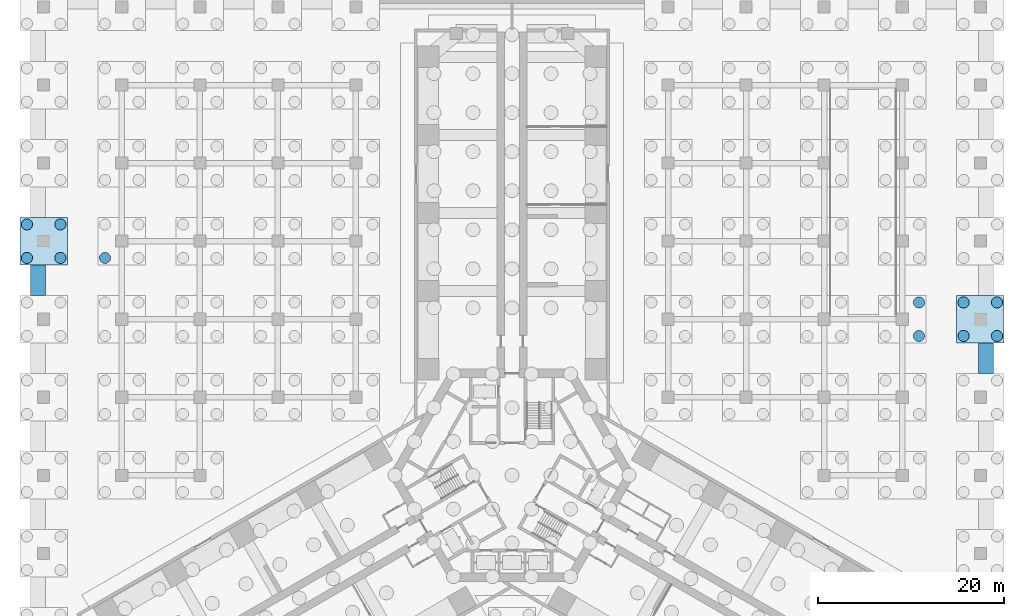
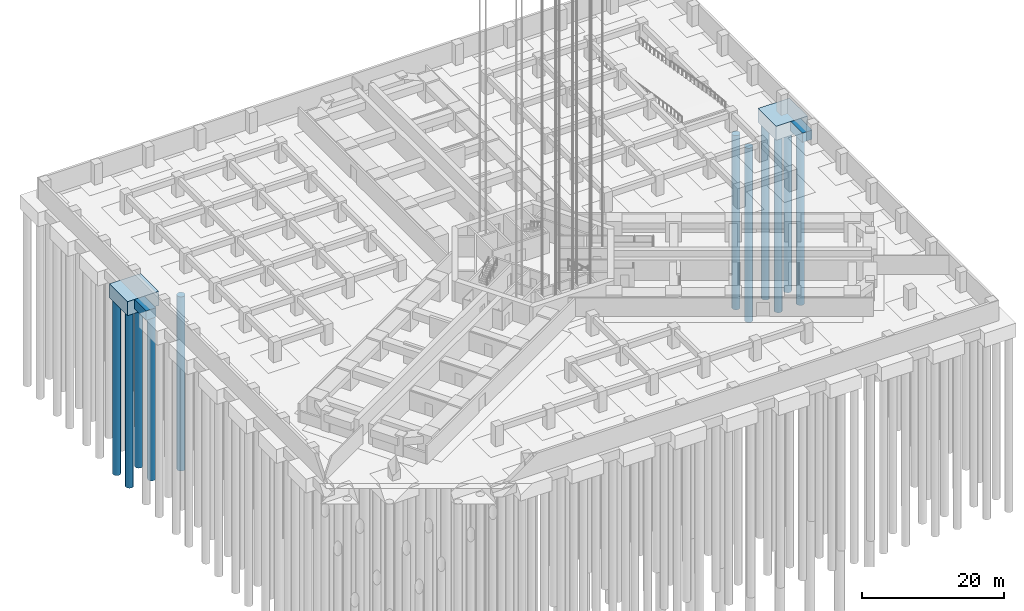
# One storey, part 31 of 73: 11 piles, 4 footings.
"""IFC4 building model written with IfcOpenShell, lengths in metres."""

from ifc_helpers import new_model, si_unit, direction, frame, origin, origin_2d, place, context, subcontext, project, spatial, polyline, circle, outline, extrude, material, material_profile, profile_set, type_object, element, save


model = new_model("IFC4")

# Units and contexts
model_context = context("Model", 3, precision=1e-05, world=origin(), true_north=direction((0.0, 1.0)))
body_context = subcontext(model_context, "Body", "Model", "MODEL_VIEW")
ifc_project = project(units=[si_unit("LENGTHUNIT", "METRE"), si_unit("AREAUNIT", "SQUARE_METRE"), si_unit("VOLUMEUNIT", "CUBIC_METRE"), si_unit("PLANEANGLEUNIT", "RADIAN"), si_unit("MASSUNIT", "GRAM", prefix="KILO")], contexts=[model_context])

# Site, building, storey
site_placement = place(None, origin())
site = spatial("IfcSite", under=ifc_project, at=site_placement, CompositionType="ELEMENT")
building_placement = place(site_placement, origin())
building = spatial("IfcBuilding", under=site, at=building_placement, Name="Impinga Residences", CompositionType="ELEMENT")
storey_placement = place(building_placement, frame((0.0, 0.0, -10.5)))
storey = spatial("IfcBuildingStorey", under=building, at=storey_placement, Name="B3", CompositionType="ELEMENT", Elevation=-10.5)

# Piles
ifc_material_1 = material(Name="Concrete C35/45", Category="concrete")
ifc_material_profile = material_profile(ifc_material_1, circle(Radius=0.60009765625, at=origin_2d()), Name="D1200")
ifc_profile_set = profile_set([ifc_material_profile], Name="Concrete C35/45")
pile_type = type_object("IfcPileType", Name="BP2 bored pile D1200", PredefinedType="BORED", material=ifc_profile_set)
pile_1_placement = place(storey_placement, frame((-52.199951171875, 23.39990234375, -2.39990234375), z_axis=(0.0, 0.0, -1.0), x_axis=(1.0, 0.0, 0.0)))
element("IfcPile", 1, at=pile_1_placement, inside=storey, type_object=pile_type, Name="Cap pile BP2 1/J-1", PredefinedType="BORED", context=body_context, shape_type="SweptSolid", body=[
    extrude(outline(polyline([(0.60009765625, 0.0), (0.59716796875, 0.058837890625), (0.58837890625, 0.116943359375), (0.57421875, 0.174072265625), (0.554443359375, 0.2294921875), (0.529052734375, 0.282958984375), (0.498779296875, 0.333251953125), (0.4638671875, 0.380615234375), (0.42431640625, 0.42431640625), (0.380615234375, 0.4638671875), (0.333251953125, 0.498779296875), (0.282958984375, 0.529052734375), (0.2294921875, 0.554443359375), (0.174072265625, 0.57421875), (0.116943359375, 0.58837890625), (0.058837890625, 0.59716796875), (0.0, 0.60009765625), (-0.058837890625, 0.59716796875), (-0.116943359375, 0.58837890625), (-0.174072265625, 0.57421875), (-0.2294921875, 0.554443359375), (-0.282958984375, 0.529052734375), (-0.333251953125, 0.498779296875), (-0.380615234375, 0.4638671875), (-0.42431640625, 0.42431640625), (-0.4638671875, 0.380615234375), (-0.498779296875, 0.333251953125), (-0.529052734375, 0.282958984375), (-0.554443359375, 0.2294921875), (-0.57421875, 0.174072265625), (-0.58837890625, 0.116943359375), (-0.59716796875, 0.058837890625), (-0.60009765625, 0.0), (-0.59716796875, -0.058837890625), (-0.58837890625, -0.116943359375), (-0.57421875, -0.174072265625), (-0.554443359375, -0.2294921875), (-0.529052734375, -0.282958984375), (-0.498779296875, -0.333251953125), (-0.4638671875, -0.380615234375), (-0.42431640625, -0.42431640625), (-0.380615234375, -0.4638671875), (-0.333251953125, -0.498779296875), (-0.282958984375, -0.529052734375), (-0.2294921875, -0.554443359375), (-0.174072265625, -0.57421875), (-0.116943359375, -0.58837890625), (-0.058837890625, -0.59716796875), (0.0, -0.60009765625), (0.058837890625, -0.59716796875), (0.116943359375, -0.58837890625), (0.174072265625, -0.57421875), (0.2294921875, -0.554443359375), (0.282958984375, -0.529052734375), (0.333251953125, -0.498779296875), (0.380615234375, -0.4638671875), (0.42431640625, -0.42431640625), (0.4638671875, -0.380615234375), (0.498779296875, -0.333251953125), (0.529052734375, -0.282958984375), (0.554443359375, -0.2294921875), (0.57421875, -0.174072265625), (0.58837890625, -0.116943359375), (0.59716796875, -0.058837890625), (0.60009765625, 0.0)])), origin(), (0.0, 0.0, 1.0), 30.0),
])
pile_2_placement = place(storey_placement, frame((-48.60009765625, 23.39990234375, -2.39990234375), z_axis=(0.0, 0.0, -1.0), x_axis=(1.0, 0.0, 0.0)))
element("IfcPile", 2, at=pile_2_placement, inside=storey, type_object=pile_type, Name="Cap pile BP2 1/J-2", PredefinedType="BORED", context=body_context, shape_type="SweptSolid", body=[
    extrude(outline(polyline([(0.60009765625, 0.0), (0.59716796875, 0.058837890625), (0.58837890625, 0.116943359375), (0.57421875, 0.174072265625), (0.554443359375, 0.2294921875), (0.529052734375, 0.282958984375), (0.498779296875, 0.333251953125), (0.4638671875, 0.380615234375), (0.42431640625, 0.42431640625), (0.380615234375, 0.4638671875), (0.333251953125, 0.498779296875), (0.282958984375, 0.529052734375), (0.2294921875, 0.554443359375), (0.174072265625, 0.57421875), (0.116943359375, 0.58837890625), (0.058837890625, 0.59716796875), (0.0, 0.60009765625), (-0.058837890625, 0.59716796875), (-0.116943359375, 0.58837890625), (-0.174072265625, 0.57421875), (-0.2294921875, 0.554443359375), (-0.282958984375, 0.529052734375), (-0.333251953125, 0.498779296875), (-0.380615234375, 0.4638671875), (-0.42431640625, 0.42431640625), (-0.4638671875, 0.380615234375), (-0.498779296875, 0.333251953125), (-0.529052734375, 0.282958984375), (-0.554443359375, 0.2294921875), (-0.57421875, 0.174072265625), (-0.58837890625, 0.116943359375), (-0.59716796875, 0.058837890625), (-0.60009765625, 0.0), (-0.59716796875, -0.058837890625), (-0.58837890625, -0.116943359375), (-0.57421875, -0.174072265625), (-0.554443359375, -0.2294921875), (-0.529052734375, -0.282958984375), (-0.498779296875, -0.333251953125), (-0.4638671875, -0.380615234375), (-0.42431640625, -0.42431640625), (-0.380615234375, -0.4638671875), (-0.333251953125, -0.498779296875), (-0.282958984375, -0.529052734375), (-0.2294921875, -0.554443359375), (-0.174072265625, -0.57421875), (-0.116943359375, -0.58837890625), (-0.058837890625, -0.59716796875), (0.0, -0.60009765625), (0.058837890625, -0.59716796875), (0.116943359375, -0.58837890625), (0.174072265625, -0.57421875), (0.2294921875, -0.554443359375), (0.282958984375, -0.529052734375), (0.333251953125, -0.498779296875), (0.380615234375, -0.4638671875), (0.42431640625, -0.42431640625), (0.4638671875, -0.380615234375), (0.498779296875, -0.333251953125), (0.529052734375, -0.282958984375), (0.554443359375, -0.2294921875), (0.57421875, -0.174072265625), (0.58837890625, -0.116943359375), (0.59716796875, -0.058837890625), (0.60009765625, 0.0)])), origin(), (0.0, 0.0, 1.0), 30.0),
])
pile_3_placement = place(storey_placement, frame((-48.60009765625, 27.0, -2.39990234375), z_axis=(0.0, 0.0, -1.0), x_axis=(1.0, 0.0, 0.0)))
element("IfcPile", 3, at=pile_3_placement, inside=storey, type_object=pile_type, Name="Cap pile BP2 1/J-3", PredefinedType="BORED", context=body_context, shape_type="SweptSolid", body=[
    extrude(outline(polyline([(0.60009765625, 0.0), (0.59716796875, 0.058837890625), (0.58837890625, 0.116943359375), (0.57421875, 0.174072265625), (0.554443359375, 0.2294921875), (0.529052734375, 0.282958984375), (0.498779296875, 0.333251953125), (0.4638671875, 0.380615234375), (0.42431640625, 0.42431640625), (0.380615234375, 0.4638671875), (0.333251953125, 0.498779296875), (0.282958984375, 0.529052734375), (0.2294921875, 0.554443359375), (0.174072265625, 0.57421875), (0.116943359375, 0.58837890625), (0.058837890625, 0.59716796875), (0.0, 0.60009765625), (-0.058837890625, 0.59716796875), (-0.116943359375, 0.58837890625), (-0.174072265625, 0.57421875), (-0.2294921875, 0.554443359375), (-0.282958984375, 0.529052734375), (-0.333251953125, 0.498779296875), (-0.380615234375, 0.4638671875), (-0.42431640625, 0.42431640625), (-0.4638671875, 0.380615234375), (-0.498779296875, 0.333251953125), (-0.529052734375, 0.282958984375), (-0.554443359375, 0.2294921875), (-0.57421875, 0.174072265625), (-0.58837890625, 0.116943359375), (-0.59716796875, 0.058837890625), (-0.60009765625, 0.0), (-0.59716796875, -0.058837890625), (-0.58837890625, -0.116943359375), (-0.57421875, -0.174072265625), (-0.554443359375, -0.2294921875), (-0.529052734375, -0.282958984375), (-0.498779296875, -0.333251953125), (-0.4638671875, -0.380615234375), (-0.42431640625, -0.42431640625), (-0.380615234375, -0.4638671875), (-0.333251953125, -0.498779296875), (-0.282958984375, -0.529052734375), (-0.2294921875, -0.554443359375), (-0.174072265625, -0.57421875), (-0.116943359375, -0.58837890625), (-0.058837890625, -0.59716796875), (0.0, -0.60009765625), (0.058837890625, -0.59716796875), (0.116943359375, -0.58837890625), (0.174072265625, -0.57421875), (0.2294921875, -0.554443359375), (0.282958984375, -0.529052734375), (0.333251953125, -0.498779296875), (0.380615234375, -0.4638671875), (0.42431640625, -0.42431640625), (0.4638671875, -0.380615234375), (0.498779296875, -0.333251953125), (0.529052734375, -0.282958984375), (0.554443359375, -0.2294921875), (0.57421875, -0.174072265625), (0.58837890625, -0.116943359375), (0.59716796875, -0.058837890625), (0.60009765625, 0.0)])), origin(), (0.0, 0.0, 1.0), 30.0),
])
pile_4_placement = place(storey_placement, frame((-52.199951171875, 27.0, -2.39990234375), z_axis=(0.0, 0.0, -1.0), x_axis=(1.0, 0.0, 0.0)))
element("IfcPile", 4, at=pile_4_placement, inside=storey, type_object=pile_type, Name="Cap pile BP2 1/J-4", PredefinedType="BORED", context=body_context, shape_type="SweptSolid", body=[
    extrude(outline(polyline([(0.60009765625, 0.0), (0.59716796875, 0.058837890625), (0.58837890625, 0.116943359375), (0.57421875, 0.174072265625), (0.554443359375, 0.2294921875), (0.529052734375, 0.282958984375), (0.498779296875, 0.333251953125), (0.4638671875, 0.380615234375), (0.42431640625, 0.42431640625), (0.380615234375, 0.4638671875), (0.333251953125, 0.498779296875), (0.282958984375, 0.529052734375), (0.2294921875, 0.554443359375), (0.174072265625, 0.57421875), (0.116943359375, 0.58837890625), (0.058837890625, 0.59716796875), (0.0, 0.60009765625), (-0.058837890625, 0.59716796875), (-0.116943359375, 0.58837890625), (-0.174072265625, 0.57421875), (-0.2294921875, 0.554443359375), (-0.282958984375, 0.529052734375), (-0.333251953125, 0.498779296875), (-0.380615234375, 0.4638671875), (-0.42431640625, 0.42431640625), (-0.4638671875, 0.380615234375), (-0.498779296875, 0.333251953125), (-0.529052734375, 0.282958984375), (-0.554443359375, 0.2294921875), (-0.57421875, 0.174072265625), (-0.58837890625, 0.116943359375), (-0.59716796875, 0.058837890625), (-0.60009765625, 0.0), (-0.59716796875, -0.058837890625), (-0.58837890625, -0.116943359375), (-0.57421875, -0.174072265625), (-0.554443359375, -0.2294921875), (-0.529052734375, -0.282958984375), (-0.498779296875, -0.333251953125), (-0.4638671875, -0.380615234375), (-0.42431640625, -0.42431640625), (-0.380615234375, -0.4638671875), (-0.333251953125, -0.498779296875), (-0.282958984375, -0.529052734375), (-0.2294921875, -0.554443359375), (-0.174072265625, -0.57421875), (-0.116943359375, -0.58837890625), (-0.058837890625, -0.59716796875), (0.0, -0.60009765625), (0.058837890625, -0.59716796875), (0.116943359375, -0.58837890625), (0.174072265625, -0.57421875), (0.2294921875, -0.554443359375), (0.282958984375, -0.529052734375), (0.333251953125, -0.498779296875), (0.380615234375, -0.4638671875), (0.42431640625, -0.42431640625), (0.4638671875, -0.380615234375), (0.498779296875, -0.333251953125), (0.529052734375, -0.282958984375), (0.554443359375, -0.2294921875), (0.57421875, -0.174072265625), (0.58837890625, -0.116943359375), (0.59716796875, -0.058837890625), (0.60009765625, 0.0)])), origin(), (0.0, 0.0, 1.0), 30.0),
])
pile_5_placement = place(storey_placement, frame((-43.800048828125, 23.39990234375, -2.39990234375), z_axis=(0.0, 0.0, -1.0), x_axis=(1.0, 0.0, 0.0)))
element("IfcPile", 5, at=pile_5_placement, inside=storey, type_object=pile_type, Name="Cap pile BP2 2/J-1", PredefinedType="BORED", context=body_context, shape_type="SweptSolid", body=[
    extrude(outline(polyline([(0.60009765625, 0.0), (0.59716796875, 0.058837890625), (0.58837890625, 0.116943359375), (0.57421875, 0.174072265625), (0.554443359375, 0.2294921875), (0.529052734375, 0.282958984375), (0.498779296875, 0.333251953125), (0.4638671875, 0.380615234375), (0.42431640625, 0.42431640625), (0.380615234375, 0.4638671875), (0.333251953125, 0.498779296875), (0.282958984375, 0.529052734375), (0.2294921875, 0.554443359375), (0.174072265625, 0.57421875), (0.116943359375, 0.58837890625), (0.058837890625, 0.59716796875), (0.0, 0.60009765625), (-0.058837890625, 0.59716796875), (-0.116943359375, 0.58837890625), (-0.174072265625, 0.57421875), (-0.2294921875, 0.554443359375), (-0.282958984375, 0.529052734375), (-0.333251953125, 0.498779296875), (-0.380615234375, 0.4638671875), (-0.42431640625, 0.42431640625), (-0.4638671875, 0.380615234375), (-0.498779296875, 0.333251953125), (-0.529052734375, 0.282958984375), (-0.554443359375, 0.2294921875), (-0.57421875, 0.174072265625), (-0.58837890625, 0.116943359375), (-0.59716796875, 0.058837890625), (-0.60009765625, 0.0), (-0.59716796875, -0.058837890625), (-0.58837890625, -0.116943359375), (-0.57421875, -0.174072265625), (-0.554443359375, -0.2294921875), (-0.529052734375, -0.282958984375), (-0.498779296875, -0.333251953125), (-0.4638671875, -0.380615234375), (-0.42431640625, -0.42431640625), (-0.380615234375, -0.4638671875), (-0.333251953125, -0.498779296875), (-0.282958984375, -0.529052734375), (-0.2294921875, -0.554443359375), (-0.174072265625, -0.57421875), (-0.116943359375, -0.58837890625), (-0.058837890625, -0.59716796875), (0.0, -0.60009765625), (0.058837890625, -0.59716796875), (0.116943359375, -0.58837890625), (0.174072265625, -0.57421875), (0.2294921875, -0.554443359375), (0.282958984375, -0.529052734375), (0.333251953125, -0.498779296875), (0.380615234375, -0.4638671875), (0.42431640625, -0.42431640625), (0.4638671875, -0.380615234375), (0.498779296875, -0.333251953125), (0.529052734375, -0.282958984375), (0.554443359375, -0.2294921875), (0.57421875, -0.174072265625), (0.58837890625, -0.116943359375), (0.59716796875, -0.058837890625), (0.60009765625, 0.0)])), origin(), (0.0, 0.0, 1.0), 30.0),
])
pile_6_placement = place(storey_placement, frame((43.800048828125, 15.0, -2.39990234375), z_axis=(0.0, 0.0, -1.0), x_axis=(1.0, 0.0, 0.0)))
element("IfcPile", 6, at=pile_6_placement, inside=storey, type_object=pile_type, Name="Cap pile BP2 12/H-2", PredefinedType="BORED", context=body_context, shape_type="SweptSolid", body=[
    extrude(outline(polyline([(0.60009765625, 0.0), (0.59716796875, 0.058837890625), (0.58837890625, 0.116943359375), (0.57421875, 0.174072265625), (0.554443359375, 0.2294921875), (0.529052734375, 0.282958984375), (0.498779296875, 0.333251953125), (0.4638671875, 0.380615234375), (0.42431640625, 0.42431640625), (0.380615234375, 0.4638671875), (0.333251953125, 0.498779296875), (0.282958984375, 0.529052734375), (0.2294921875, 0.554443359375), (0.174072265625, 0.57421875), (0.116943359375, 0.58837890625), (0.058837890625, 0.59716796875), (0.0, 0.60009765625), (-0.058837890625, 0.59716796875), (-0.116943359375, 0.58837890625), (-0.174072265625, 0.57421875), (-0.2294921875, 0.554443359375), (-0.282958984375, 0.529052734375), (-0.333251953125, 0.498779296875), (-0.380615234375, 0.4638671875), (-0.42431640625, 0.42431640625), (-0.4638671875, 0.380615234375), (-0.498779296875, 0.333251953125), (-0.529052734375, 0.282958984375), (-0.554443359375, 0.2294921875), (-0.57421875, 0.174072265625), (-0.58837890625, 0.116943359375), (-0.59716796875, 0.058837890625), (-0.60009765625, 0.0), (-0.59716796875, -0.058837890625), (-0.58837890625, -0.116943359375), (-0.57421875, -0.174072265625), (-0.554443359375, -0.2294921875), (-0.529052734375, -0.282958984375), (-0.498779296875, -0.333251953125), (-0.4638671875, -0.380615234375), (-0.42431640625, -0.42431640625), (-0.380615234375, -0.4638671875), (-0.333251953125, -0.498779296875), (-0.282958984375, -0.529052734375), (-0.2294921875, -0.554443359375), (-0.174072265625, -0.57421875), (-0.116943359375, -0.58837890625), (-0.058837890625, -0.59716796875), (0.0, -0.60009765625), (0.058837890625, -0.59716796875), (0.116943359375, -0.58837890625), (0.174072265625, -0.57421875), (0.2294921875, -0.554443359375), (0.282958984375, -0.529052734375), (0.333251953125, -0.498779296875), (0.380615234375, -0.4638671875), (0.42431640625, -0.42431640625), (0.4638671875, -0.380615234375), (0.498779296875, -0.333251953125), (0.529052734375, -0.282958984375), (0.554443359375, -0.2294921875), (0.57421875, -0.174072265625), (0.58837890625, -0.116943359375), (0.59716796875, -0.058837890625), (0.60009765625, 0.0)])), origin(), (0.0, 0.0, 1.0), 30.0),
])
pile_7_placement = place(storey_placement, frame((43.800048828125, 18.60009765625, -2.39990234375), z_axis=(0.0, 0.0, -1.0), x_axis=(1.0, 0.0, 0.0)))
element("IfcPile", 7, at=pile_7_placement, inside=storey, type_object=pile_type, Name="Cap pile BP2 12/H-3", PredefinedType="BORED", context=body_context, shape_type="SweptSolid", body=[
    extrude(outline(polyline([(0.60009765625, 0.0), (0.59716796875, 0.058837890625), (0.58837890625, 0.116943359375), (0.57421875, 0.174072265625), (0.554443359375, 0.2294921875), (0.529052734375, 0.282958984375), (0.498779296875, 0.333251953125), (0.4638671875, 0.380615234375), (0.42431640625, 0.42431640625), (0.380615234375, 0.4638671875), (0.333251953125, 0.498779296875), (0.282958984375, 0.529052734375), (0.2294921875, 0.554443359375), (0.174072265625, 0.57421875), (0.116943359375, 0.58837890625), (0.058837890625, 0.59716796875), (0.0, 0.60009765625), (-0.058837890625, 0.59716796875), (-0.116943359375, 0.58837890625), (-0.174072265625, 0.57421875), (-0.2294921875, 0.554443359375), (-0.282958984375, 0.529052734375), (-0.333251953125, 0.498779296875), (-0.380615234375, 0.4638671875), (-0.42431640625, 0.42431640625), (-0.4638671875, 0.380615234375), (-0.498779296875, 0.333251953125), (-0.529052734375, 0.282958984375), (-0.554443359375, 0.2294921875), (-0.57421875, 0.174072265625), (-0.58837890625, 0.116943359375), (-0.59716796875, 0.058837890625), (-0.60009765625, 0.0), (-0.59716796875, -0.058837890625), (-0.58837890625, -0.116943359375), (-0.57421875, -0.174072265625), (-0.554443359375, -0.2294921875), (-0.529052734375, -0.282958984375), (-0.498779296875, -0.333251953125), (-0.4638671875, -0.380615234375), (-0.42431640625, -0.42431640625), (-0.380615234375, -0.4638671875), (-0.333251953125, -0.498779296875), (-0.282958984375, -0.529052734375), (-0.2294921875, -0.554443359375), (-0.174072265625, -0.57421875), (-0.116943359375, -0.58837890625), (-0.058837890625, -0.59716796875), (0.0, -0.60009765625), (0.058837890625, -0.59716796875), (0.116943359375, -0.58837890625), (0.174072265625, -0.57421875), (0.2294921875, -0.554443359375), (0.282958984375, -0.529052734375), (0.333251953125, -0.498779296875), (0.380615234375, -0.4638671875), (0.42431640625, -0.42431640625), (0.4638671875, -0.380615234375), (0.498779296875, -0.333251953125), (0.529052734375, -0.282958984375), (0.554443359375, -0.2294921875), (0.57421875, -0.174072265625), (0.58837890625, -0.116943359375), (0.59716796875, -0.058837890625), (0.60009765625, 0.0)])), origin(), (0.0, 0.0, 1.0), 30.0),
])
pile_8_placement = place(storey_placement, frame((48.60009765625, 15.0, -2.39990234375), z_axis=(0.0, 0.0, -1.0), x_axis=(1.0, 0.0, 0.0)))
element("IfcPile", 8, at=pile_8_placement, inside=storey, type_object=pile_type, Name="Cap pile BP2 13/H-1", PredefinedType="BORED", context=body_context, shape_type="SweptSolid", body=[
    extrude(outline(polyline([(0.60009765625, 0.0), (0.59716796875, 0.058837890625), (0.58837890625, 0.116943359375), (0.57421875, 0.174072265625), (0.554443359375, 0.2294921875), (0.529052734375, 0.282958984375), (0.498779296875, 0.333251953125), (0.4638671875, 0.380615234375), (0.42431640625, 0.42431640625), (0.380615234375, 0.4638671875), (0.333251953125, 0.498779296875), (0.282958984375, 0.529052734375), (0.2294921875, 0.554443359375), (0.174072265625, 0.57421875), (0.116943359375, 0.58837890625), (0.058837890625, 0.59716796875), (0.0, 0.60009765625), (-0.058837890625, 0.59716796875), (-0.116943359375, 0.58837890625), (-0.174072265625, 0.57421875), (-0.2294921875, 0.554443359375), (-0.282958984375, 0.529052734375), (-0.333251953125, 0.498779296875), (-0.380615234375, 0.4638671875), (-0.42431640625, 0.42431640625), (-0.4638671875, 0.380615234375), (-0.498779296875, 0.333251953125), (-0.529052734375, 0.282958984375), (-0.554443359375, 0.2294921875), (-0.57421875, 0.174072265625), (-0.58837890625, 0.116943359375), (-0.59716796875, 0.058837890625), (-0.60009765625, 0.0), (-0.59716796875, -0.058837890625), (-0.58837890625, -0.116943359375), (-0.57421875, -0.174072265625), (-0.554443359375, -0.2294921875), (-0.529052734375, -0.282958984375), (-0.498779296875, -0.333251953125), (-0.4638671875, -0.380615234375), (-0.42431640625, -0.42431640625), (-0.380615234375, -0.4638671875), (-0.333251953125, -0.498779296875), (-0.282958984375, -0.529052734375), (-0.2294921875, -0.554443359375), (-0.174072265625, -0.57421875), (-0.116943359375, -0.58837890625), (-0.058837890625, -0.59716796875), (0.0, -0.60009765625), (0.058837890625, -0.59716796875), (0.116943359375, -0.58837890625), (0.174072265625, -0.57421875), (0.2294921875, -0.554443359375), (0.282958984375, -0.529052734375), (0.333251953125, -0.498779296875), (0.380615234375, -0.4638671875), (0.42431640625, -0.42431640625), (0.4638671875, -0.380615234375), (0.498779296875, -0.333251953125), (0.529052734375, -0.282958984375), (0.554443359375, -0.2294921875), (0.57421875, -0.174072265625), (0.58837890625, -0.116943359375), (0.59716796875, -0.058837890625), (0.60009765625, 0.0)])), origin(), (0.0, 0.0, 1.0), 30.0),
])
pile_9_placement = place(storey_placement, frame((52.199951171875, 15.0, -2.39990234375), z_axis=(0.0, 0.0, -1.0), x_axis=(1.0, 0.0, 0.0)))
element("IfcPile", 9, at=pile_9_placement, inside=storey, type_object=pile_type, Name="Cap pile BP2 13/H-2", PredefinedType="BORED", context=body_context, shape_type="SweptSolid", body=[
    extrude(outline(polyline([(0.60009765625, 0.0), (0.59716796875, 0.058837890625), (0.58837890625, 0.116943359375), (0.57421875, 0.174072265625), (0.554443359375, 0.2294921875), (0.529052734375, 0.282958984375), (0.498779296875, 0.333251953125), (0.4638671875, 0.380615234375), (0.42431640625, 0.42431640625), (0.380615234375, 0.4638671875), (0.333251953125, 0.498779296875), (0.282958984375, 0.529052734375), (0.2294921875, 0.554443359375), (0.174072265625, 0.57421875), (0.116943359375, 0.58837890625), (0.058837890625, 0.59716796875), (0.0, 0.60009765625), (-0.058837890625, 0.59716796875), (-0.116943359375, 0.58837890625), (-0.174072265625, 0.57421875), (-0.2294921875, 0.554443359375), (-0.282958984375, 0.529052734375), (-0.333251953125, 0.498779296875), (-0.380615234375, 0.4638671875), (-0.42431640625, 0.42431640625), (-0.4638671875, 0.380615234375), (-0.498779296875, 0.333251953125), (-0.529052734375, 0.282958984375), (-0.554443359375, 0.2294921875), (-0.57421875, 0.174072265625), (-0.58837890625, 0.116943359375), (-0.59716796875, 0.058837890625), (-0.60009765625, 0.0), (-0.59716796875, -0.058837890625), (-0.58837890625, -0.116943359375), (-0.57421875, -0.174072265625), (-0.554443359375, -0.2294921875), (-0.529052734375, -0.282958984375), (-0.498779296875, -0.333251953125), (-0.4638671875, -0.380615234375), (-0.42431640625, -0.42431640625), (-0.380615234375, -0.4638671875), (-0.333251953125, -0.498779296875), (-0.282958984375, -0.529052734375), (-0.2294921875, -0.554443359375), (-0.174072265625, -0.57421875), (-0.116943359375, -0.58837890625), (-0.058837890625, -0.59716796875), (0.0, -0.60009765625), (0.058837890625, -0.59716796875), (0.116943359375, -0.58837890625), (0.174072265625, -0.57421875), (0.2294921875, -0.554443359375), (0.282958984375, -0.529052734375), (0.333251953125, -0.498779296875), (0.380615234375, -0.4638671875), (0.42431640625, -0.42431640625), (0.4638671875, -0.380615234375), (0.498779296875, -0.333251953125), (0.529052734375, -0.282958984375), (0.554443359375, -0.2294921875), (0.57421875, -0.174072265625), (0.58837890625, -0.116943359375), (0.59716796875, -0.058837890625), (0.60009765625, 0.0)])), origin(), (0.0, 0.0, 1.0), 30.0),
])
pile_10_placement = place(storey_placement, frame((52.199951171875, 18.60009765625, -2.39990234375), z_axis=(0.0, 0.0, -1.0), x_axis=(1.0, 0.0, 0.0)))
element("IfcPile", 10, at=pile_10_placement, inside=storey, type_object=pile_type, Name="Cap pile BP2 13/H-3", PredefinedType="BORED", context=body_context, shape_type="SweptSolid", body=[
    extrude(outline(polyline([(0.60009765625, 0.0), (0.59716796875, 0.058837890625), (0.58837890625, 0.116943359375), (0.57421875, 0.174072265625), (0.554443359375, 0.2294921875), (0.529052734375, 0.282958984375), (0.498779296875, 0.333251953125), (0.4638671875, 0.380615234375), (0.42431640625, 0.42431640625), (0.380615234375, 0.4638671875), (0.333251953125, 0.498779296875), (0.282958984375, 0.529052734375), (0.2294921875, 0.554443359375), (0.174072265625, 0.57421875), (0.116943359375, 0.58837890625), (0.058837890625, 0.59716796875), (0.0, 0.60009765625), (-0.058837890625, 0.59716796875), (-0.116943359375, 0.58837890625), (-0.174072265625, 0.57421875), (-0.2294921875, 0.554443359375), (-0.282958984375, 0.529052734375), (-0.333251953125, 0.498779296875), (-0.380615234375, 0.4638671875), (-0.42431640625, 0.42431640625), (-0.4638671875, 0.380615234375), (-0.498779296875, 0.333251953125), (-0.529052734375, 0.282958984375), (-0.554443359375, 0.2294921875), (-0.57421875, 0.174072265625), (-0.58837890625, 0.116943359375), (-0.59716796875, 0.058837890625), (-0.60009765625, 0.0), (-0.59716796875, -0.058837890625), (-0.58837890625, -0.116943359375), (-0.57421875, -0.174072265625), (-0.554443359375, -0.2294921875), (-0.529052734375, -0.282958984375), (-0.498779296875, -0.333251953125), (-0.4638671875, -0.380615234375), (-0.42431640625, -0.42431640625), (-0.380615234375, -0.4638671875), (-0.333251953125, -0.498779296875), (-0.282958984375, -0.529052734375), (-0.2294921875, -0.554443359375), (-0.174072265625, -0.57421875), (-0.116943359375, -0.58837890625), (-0.058837890625, -0.59716796875), (0.0, -0.60009765625), (0.058837890625, -0.59716796875), (0.116943359375, -0.58837890625), (0.174072265625, -0.57421875), (0.2294921875, -0.554443359375), (0.282958984375, -0.529052734375), (0.333251953125, -0.498779296875), (0.380615234375, -0.4638671875), (0.42431640625, -0.42431640625), (0.4638671875, -0.380615234375), (0.498779296875, -0.333251953125), (0.529052734375, -0.282958984375), (0.554443359375, -0.2294921875), (0.57421875, -0.174072265625), (0.58837890625, -0.116943359375), (0.59716796875, -0.058837890625), (0.60009765625, 0.0)])), origin(), (0.0, 0.0, 1.0), 30.0),
])
pile_11_placement = place(storey_placement, frame((48.60009765625, 18.60009765625, -2.39990234375), z_axis=(0.0, 0.0, -1.0), x_axis=(1.0, 0.0, 0.0)))
element("IfcPile", 11, at=pile_11_placement, inside=storey, type_object=pile_type, Name="Cap pile BP2 13/H-4", PredefinedType="BORED", context=body_context, shape_type="SweptSolid", body=[
    extrude(outline(polyline([(0.60009765625, 0.0), (0.59716796875, 0.058837890625), (0.58837890625, 0.116943359375), (0.57421875, 0.174072265625), (0.554443359375, 0.2294921875), (0.529052734375, 0.282958984375), (0.498779296875, 0.333251953125), (0.4638671875, 0.380615234375), (0.42431640625, 0.42431640625), (0.380615234375, 0.4638671875), (0.333251953125, 0.498779296875), (0.282958984375, 0.529052734375), (0.2294921875, 0.554443359375), (0.174072265625, 0.57421875), (0.116943359375, 0.58837890625), (0.058837890625, 0.59716796875), (0.0, 0.60009765625), (-0.058837890625, 0.59716796875), (-0.116943359375, 0.58837890625), (-0.174072265625, 0.57421875), (-0.2294921875, 0.554443359375), (-0.282958984375, 0.529052734375), (-0.333251953125, 0.498779296875), (-0.380615234375, 0.4638671875), (-0.42431640625, 0.42431640625), (-0.4638671875, 0.380615234375), (-0.498779296875, 0.333251953125), (-0.529052734375, 0.282958984375), (-0.554443359375, 0.2294921875), (-0.57421875, 0.174072265625), (-0.58837890625, 0.116943359375), (-0.59716796875, 0.058837890625), (-0.60009765625, 0.0), (-0.59716796875, -0.058837890625), (-0.58837890625, -0.116943359375), (-0.57421875, -0.174072265625), (-0.554443359375, -0.2294921875), (-0.529052734375, -0.282958984375), (-0.498779296875, -0.333251953125), (-0.4638671875, -0.380615234375), (-0.42431640625, -0.42431640625), (-0.380615234375, -0.4638671875), (-0.333251953125, -0.498779296875), (-0.282958984375, -0.529052734375), (-0.2294921875, -0.554443359375), (-0.174072265625, -0.57421875), (-0.116943359375, -0.58837890625), (-0.058837890625, -0.59716796875), (0.0, -0.60009765625), (0.058837890625, -0.59716796875), (0.116943359375, -0.58837890625), (0.174072265625, -0.57421875), (0.2294921875, -0.554443359375), (0.282958984375, -0.529052734375), (0.333251953125, -0.498779296875), (0.380615234375, -0.4638671875), (0.42431640625, -0.42431640625), (0.4638671875, -0.380615234375), (0.498779296875, -0.333251953125), (0.529052734375, -0.282958984375), (0.554443359375, -0.2294921875), (0.57421875, -0.174072265625), (0.58837890625, -0.116943359375), (0.59716796875, -0.058837890625), (0.60009765625, 0.0)])), origin(), (0.0, 0.0, 1.0), 30.0),
])

# Footings
ifc_material_2 = material(Name="Concrete C45/55", Category="concrete")
footing_type_1 = type_object("IfcFootingType", Name="PC4 four-pile cap 5100 square 2400 deep", PredefinedType="PILE_CAP", material=ifc_material_2)
footing_1_placement = place(storey_placement, frame((0.0, 0.0, -2.39990234375)))
element("IfcFooting", 12, at=footing_1_placement, inside=storey, type_object=footing_type_1, Name="Pile cap PC4 1/J", PredefinedType="PILE_CAP", context=body_context, shape_type="SweptSolid", body=[
    extrude(outline(polyline([(-47.85009765625, 22.64990234375), (-47.85009765625, 27.75), (-52.949951171875, 27.75), (-52.949951171875, 22.64990234375), (-47.85009765625, 22.64990234375)])), origin(), (0.0, 0.0, 1.0), 2.39990234375),
])
footing_2_placement = place(storey_placement, frame((0.0, 0.0, -2.39990234375)))
element("IfcFooting", 13, at=footing_2_placement, inside=storey, type_object=footing_type_1, Name="Pile cap PC4 13/H", PredefinedType="PILE_CAP", context=body_context, shape_type="SweptSolid", body=[
    extrude(outline(polyline([(52.949951171875, 14.25), (52.949951171875, 19.35009765625), (47.85009765625, 19.35009765625), (47.85009765625, 14.25), (52.949951171875, 14.25)])), origin(), (0.0, 0.0, 1.0), 2.39990234375),
])
footing_type_2 = type_object("IfcFootingType", Name="SF1 strip footing 1600 wide 1600 deep", PredefinedType="STRIP_FOOTING", material=ifc_material_2)
footing_3_placement = place(storey_placement, frame((0.0, 0.0, -1.60009765625)))
element("IfcFooting", 14, at=footing_3_placement, inside=storey, type_object=footing_type_2, Name="Strip footing SF1 W 4", PredefinedType="STRIP_FOOTING", context=body_context, shape_type="SweptSolid", body=[
    extrude(outline(polyline([(-50.199951171875, 19.35009765625), (-51.800048828125, 19.35009765625), (-51.800048828125, 22.64990234375), (-50.199951171875, 22.64990234375), (-50.199951171875, 19.35009765625)])), origin(), (0.0, 0.0, 1.0), 1.60009765625),
])
footing_4_placement = place(storey_placement, frame((0.0, 0.0, -1.60009765625)))
element("IfcFooting", 15, at=footing_4_placement, inside=storey, type_object=footing_type_2, Name="Strip footing SF1 E 5", PredefinedType="STRIP_FOOTING", context=body_context, shape_type="SweptSolid", body=[
    extrude(outline(polyline([(51.800048828125, 10.949951171875), (50.199951171875, 10.949951171875), (50.199951171875, 14.25), (51.800048828125, 14.25), (51.800048828125, 10.949951171875)])), origin(), (0.0, 0.0, 1.0), 1.60009765625),
])

save(model, "model.ifc")
